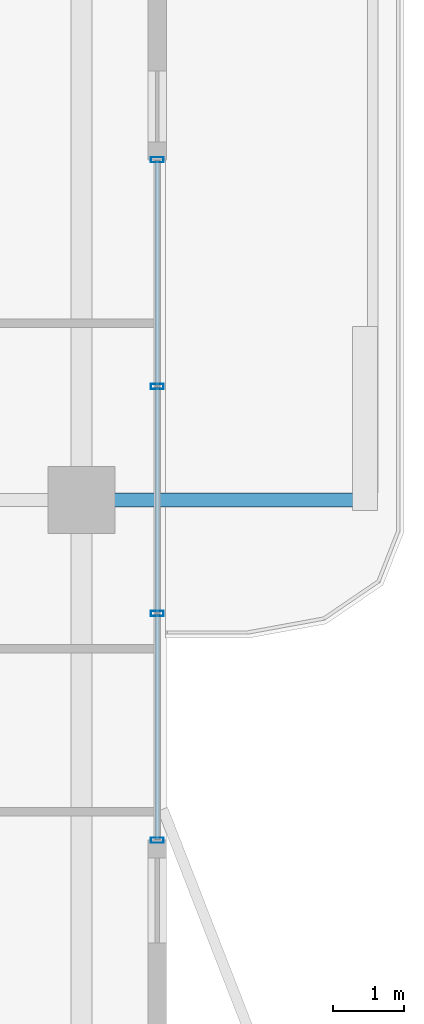
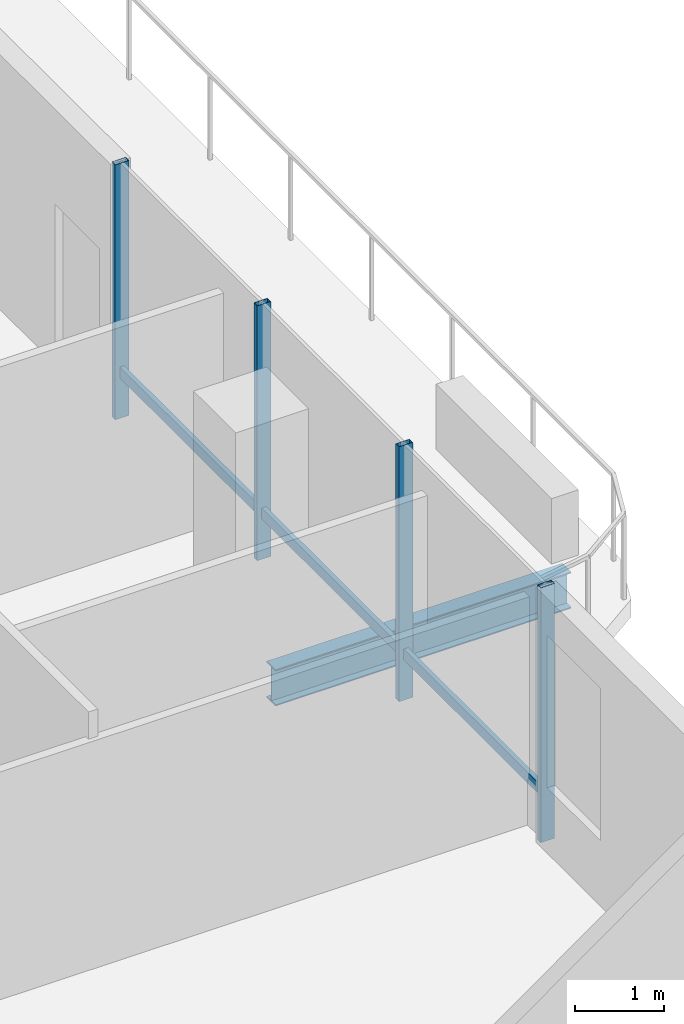
# One storey, part 8 of 18: 7 members, 1 beam, 1 element without a shape of its own.
"""IFC4 building model written with IfcOpenShell, lengths in metres."""

from ifc_helpers import new_model, si_unit, direction, frame, origin, origin_2d, place, context, subcontext, project, spatial, hollow_rectangle, i_section, extrude, material, layer, layer_set, material_profile, profile_set, type_object, element, aggregate, save


model = new_model("IFC4")

# Units and contexts
model_context = context("Model", 3, precision=1e-05, world=origin(), true_north=direction((0.0, 1.0)))
body_context = subcontext(model_context, "Body", "Model", "MODEL_VIEW")
ifc_project = project(units=[si_unit("LENGTHUNIT", "METRE"), si_unit("AREAUNIT", "SQUARE_METRE"), si_unit("VOLUMEUNIT", "CUBIC_METRE"), si_unit("PLANEANGLEUNIT", "RADIAN"), si_unit("MASSUNIT", "GRAM", prefix="KILO")], contexts=[model_context])

# Site, building, storey
site_placement = place(None, origin())
site = spatial("IfcSite", under=ifc_project, at=site_placement, CompositionType="ELEMENT")
building_placement = place(site_placement, origin())
building = spatial("IfcBuilding", under=site, at=building_placement, Name="Belovzor Exchange Tower", CompositionType="ELEMENT")
storey_placement = place(building_placement, frame((0.0, 0.0, 318.0)))
storey = spatial("IfcBuildingStorey", under=building, at=storey_placement, Name="L79", CompositionType="ELEMENT", Elevation=318.0)

# Beam
ifc_material_1 = material(Name="Steel S355", Category="steel")
ifc_material_profile_1 = material_profile(ifc_material_1, i_section(OverallWidth=0.199951171875, OverallDepth=0.5, WebThickness=0.01025390625, FlangeThickness=0.01611328125, at=origin_2d()))
ifc_profile_set_1 = profile_set([ifc_material_profile_1], Name="Steel S355")
beam_type = type_object("IfcBeamType", Name="Planted Balcony Cantilever Beam IPE 500", PredefinedType="BEAM", material=ifc_profile_set_1)
beam_placement = place(storey_placement, frame((50.660888671875, 28.800048828125, -0.489990234375), z_axis=(1.0, 0.0, 0.0), x_axis=(0.0, 1.0, 0.0)))
element("IfcBeam", 1, at=beam_placement, inside=storey, type_object=beam_type, Name="BC-500 Planted Balcony Cantilever Beam IPE 500", PredefinedType="BEAM", context=body_context, shape_type="SweptSolid", body=[
    extrude(i_section(OverallWidth=0.199951171875, OverallDepth=0.5, WebThickness=0.01025390625, FlangeThickness=0.01611328125, at=origin_2d()), origin(), (0.0, 0.0, 1.0), 3.85009765625),
])

# Curtain wall, members
ifc_material_2 = material(Name="Anodised Aluminium Framing", Category="aluminium")
ifc_layer = layer(ifc_material_2, 0.179931640625)
ifc_layer_set = layer_set([ifc_layer], Name="Anodised Aluminium Framing")
curtain_wall_type = type_object("IfcCurtainWallType", Name="Recessed Loggia Low-Iron Triple-Glazed Curtain Wall", PredefinedType="NOTDEFINED", material=ifc_layer_set)
curtain_wall_placement = place(storey_placement, origin())
curtain_wall = element("IfcCurtainWall", 2, at=curtain_wall_placement, inside=storey, type_object=curtain_wall_type, Name="CW3 Recessed Loggia Low-Iron Triple-Glazed Curtain Wall L79", PredefinedType="NOTDEFINED")
ifc_material_3 = material(Name="Steel S355", Category="steel")
ifc_material_profile_2 = material_profile(ifc_material_3, hollow_rectangle(XDim=0.074951171875, YDim=0.179931640625, WallThickness=0.0048828125, at=origin_2d()))
ifc_profile_set_2 = profile_set([ifc_material_profile_2], Name="Steel S355")
member_type_1 = type_object("IfcMemberType", Name="Thermally Broken Curtain Wall Mullion 180x75", PredefinedType="MULLION", material=ifc_profile_set_2)
member_1_placement = place(storey_placement, frame((51.469970703125, 33.60009765625, 0.0), z_axis=(0.0, 0.0, 1.0), x_axis=(0.0, -1.0, 0.0)))
member_1 = element("IfcMember", 3, at=member_1_placement, type_object=member_type_1, Name="CW-M180 Curtain Wall Mullion 1", PredefinedType="MULLION", context=body_context, shape_type="SweptSolid", body=[
    extrude(hollow_rectangle(XDim=0.074951171875, YDim=0.179931640625, WallThickness=0.0048828125, at=origin_2d()), origin(), (0.0, 0.0, 1.0), 3.510009765625),
])
member_2_placement = place(storey_placement, frame((51.469970703125, 30.39990234375, 0.0), z_axis=(0.0, 0.0, 1.0), x_axis=(0.0, -1.0, 0.0)))
member_2 = element("IfcMember", 4, at=member_2_placement, type_object=member_type_1, Name="CW-M180 Curtain Wall Mullion 2", PredefinedType="MULLION", context=body_context, shape_type="SweptSolid", body=[
    extrude(hollow_rectangle(XDim=0.074951171875, YDim=0.179931640625, WallThickness=0.0048828125, at=origin_2d()), origin(), (0.0, 0.0, 1.0), 3.510009765625),
])
member_3_placement = place(storey_placement, frame((51.469970703125, 27.199951171875, 0.0), z_axis=(0.0, 0.0, 1.0), x_axis=(0.0, -1.0, 0.0)))
member_3 = element("IfcMember", 5, at=member_3_placement, type_object=member_type_1, Name="CW-M180 Curtain Wall Mullion 3", PredefinedType="MULLION", context=body_context, shape_type="SweptSolid", body=[
    extrude(hollow_rectangle(XDim=0.074951171875, YDim=0.179931640625, WallThickness=0.0048828125, at=origin_2d()), origin(), (0.0, 0.0, 1.0), 3.510009765625),
])
member_4_placement = place(storey_placement, frame((51.469970703125, 24.0, 0.0), z_axis=(0.0, 0.0, 1.0), x_axis=(0.0, -1.0, 0.0)))
member_4 = element("IfcMember", 6, at=member_4_placement, type_object=member_type_1, Name="CW-M180 Curtain Wall Mullion 4", PredefinedType="MULLION", context=body_context, shape_type="SweptSolid", body=[
    extrude(hollow_rectangle(XDim=0.074951171875, YDim=0.179931640625, WallThickness=0.0048828125, at=origin_2d()), origin(), (0.0, 0.0, 1.0), 3.510009765625),
])
ifc_material_4 = material(Name="Steel S355", Category="steel")
ifc_material_profile_3 = material_profile(ifc_material_4, hollow_rectangle(XDim=0.06005859375, YDim=0.14990234375, WallThickness=0.00390625, at=origin_2d()))
ifc_profile_set_3 = profile_set([ifc_material_profile_3], Name="Steel S355")
member_type_2 = type_object("IfcMemberType", Name="Thermally Broken Curtain Wall Transom 150x60", PredefinedType="USERDEFINED", material=ifc_profile_set_3)
member_5_placement = place(storey_placement, frame((51.469970703125, 33.592041015625, 0.632080078125), z_axis=(0.0, -1.0, 0.0), x_axis=(1.0, 0.0, 0.0)))
member_5 = element("IfcMember", 7, at=member_5_placement, type_object=member_type_2, Name="CW-T150 Curtain Wall Transom 1", ObjectType="TRANSOM", PredefinedType="USERDEFINED", context=body_context, shape_type="SweptSolid", body=[
    extrude(hollow_rectangle(XDim=0.06005859375, YDim=0.14990234375, WallThickness=0.00390625, at=origin_2d()), origin(), (0.0, 0.0, 1.0), 3.18408203125),
])
member_6_placement = place(storey_placement, frame((51.469970703125, 30.39208984375, 0.632080078125), z_axis=(0.0, -1.0, 0.0), x_axis=(1.0, 0.0, 0.0)))
member_6 = element("IfcMember", 8, at=member_6_placement, type_object=member_type_2, Name="CW-T150 Curtain Wall Transom 2", ObjectType="TRANSOM", PredefinedType="USERDEFINED", context=body_context, shape_type="SweptSolid", body=[
    extrude(hollow_rectangle(XDim=0.06005859375, YDim=0.14990234375, WallThickness=0.00390625, at=origin_2d()), origin(), (0.0, 0.0, 1.0), 3.18408203125),
])
member_7_placement = place(storey_placement, frame((51.469970703125, 27.19189453125, 0.632080078125), z_axis=(0.0, -1.0, 0.0), x_axis=(1.0, 0.0, 0.0)))
member_7 = element("IfcMember", 9, at=member_7_placement, type_object=member_type_2, Name="CW-T150 Curtain Wall Transom 3", ObjectType="TRANSOM", PredefinedType="USERDEFINED", context=body_context, shape_type="SweptSolid", body=[
    extrude(hollow_rectangle(XDim=0.06005859375, YDim=0.14990234375, WallThickness=0.00390625, at=origin_2d()), origin(), (0.0, 0.0, 1.0), 3.183837890625),
])
aggregate(curtain_wall, [member_1, member_2, member_3, member_4, member_5, member_6, member_7])

save(model, "model.ifc")
